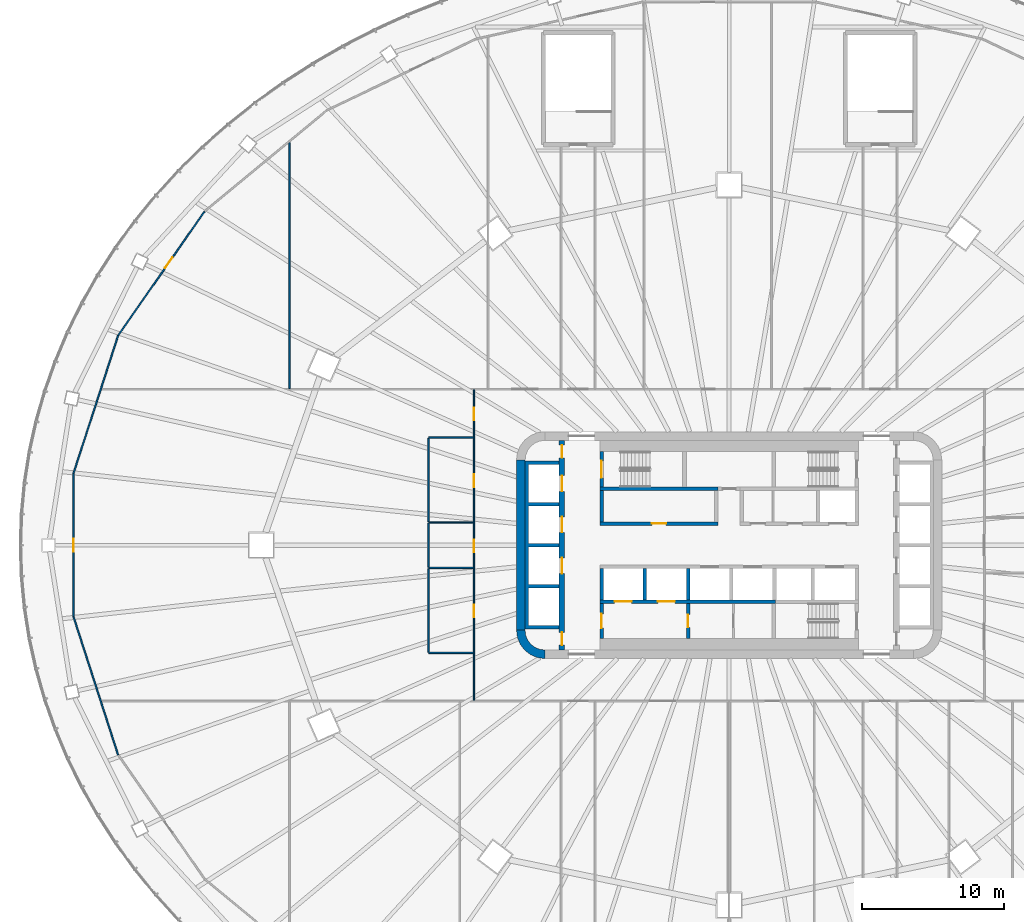
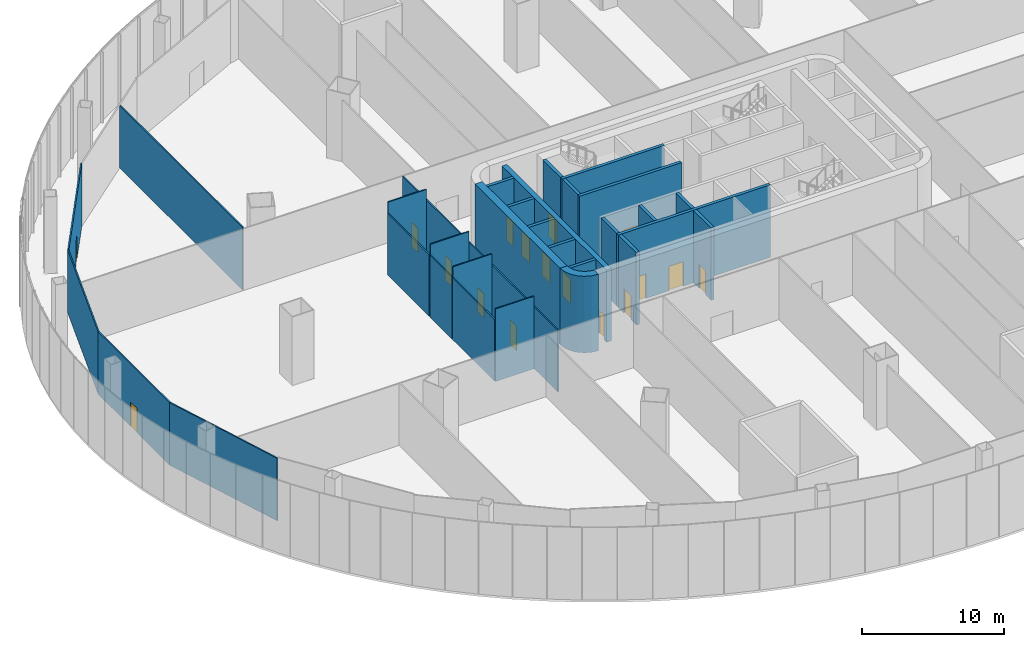
# One storey, part 21 of 33: 27 walls, 17 doors, 17 openings.
"""IFC4 building model written with IfcOpenShell, lengths in metres."""

from ifc_helpers import new_model, si_unit, direction, frame, frame_2d, origin, place, context, subcontext, project, spatial, polyline, rectangle, outline, extrude, material, layer, layer_set, type_object, element, fill, save


model = new_model("IFC4")

# Units and contexts
model_context = context("Model", 3, precision=1e-05, world=origin(), true_north=direction((0.0, 1.0)))
body_context = subcontext(model_context, "Body", "Model", "MODEL_VIEW")
ifc_project = project(units=[si_unit("LENGTHUNIT", "METRE"), si_unit("AREAUNIT", "SQUARE_METRE"), si_unit("VOLUMEUNIT", "CUBIC_METRE"), si_unit("PLANEANGLEUNIT", "RADIAN"), si_unit("MASSUNIT", "GRAM", prefix="KILO")], contexts=[model_context])

# Site, building, storey
site_placement = place(None, origin())
site = spatial("IfcSite", under=ifc_project, at=site_placement, CompositionType="ELEMENT")
building_placement = place(site_placement, origin())
building = spatial("IfcBuilding", under=site, at=building_placement, Name="Sahrelin Media Tower", CompositionType="ELEMENT")
storey_placement = place(building_placement, frame((0.0, 0.0, 37.39990234375)))
storey = spatial("IfcBuildingStorey", under=building, at=storey_placement, Name="L05", CompositionType="ELEMENT", Elevation=37.39990234375)

# Walls
ifc_material_1 = material(Name="Concrete C60/75", Category="concrete")
ifc_layer_1 = layer(ifc_material_1, 0.60009765625)
ifc_layer_set_1 = layer_set([ifc_layer_1], Name="Core wall 600")
wall_type_1 = type_object("IfcWallType", Name="Core wall 600", PredefinedType="SHEAR", material=ifc_layer_set_1)
wall_1_placement = place(storey_placement, frame((-14.699951171875, -6.0, 0.0), z_axis=(0.0, 0.0, 1.0), x_axis=(0.0, 1.0, 0.0)))
element("IfcWall", 1, at=wall_1_placement, inside=storey, type_object=wall_type_1, Name="Core wall W L05", PredefinedType="SHEAR", context=body_context, shape_type="SweptSolid", body=[
    extrude(rectangle(XDim=12.0, YDim=0.60009765625, at=frame_2d((6.0, 0.0))), origin(), (0.0, 0.0, 1.0), 6.60009765625),
])
placement = place(storey_placement, origin())
element("IfcWall", 2, at=placement, inside=storey, type_object=wall_type_1, Name="Core wall corner SW L05", PredefinedType="SHEAR", context=body_context, shape_type="SweptSolid", body=[
    extrude(outline(polyline([(-13.0, -8.0), (-13.0, -7.394775390625), (-13.361083984375, -7.347412109375), (-13.697509765625, -7.2080078125), (-13.986328125, -6.986328125), (-14.2080078125, -6.697509765625), (-14.347412109375, -6.361083984375), (-14.394775390625, -6.0), (-15.0, -6.0), (-14.931884765625, -6.517578125), (-14.732177734375, -7.0), (-14.414306640625, -7.414306640625), (-14.0, -7.732177734375), (-13.517578125, -7.931884765625), (-13.0, -8.0)])), origin(), (0.0, 0.0, 1.0), 6.60009765625),
])

# Wall, opening, door
ifc_material_2 = material(Name="Fire-rated gypsum board partition")
ifc_layer_2 = layer(ifc_material_2, 0.25)
ifc_layer_set_2 = layer_set([ifc_layer_2], Name="Fire-rated lobby wall 250")
wall_type_2 = type_object("IfcWallType", Name="Fire-rated lobby wall 250", PredefinedType="PARTITIONING", material=ifc_layer_set_2)
wall_3_placement = place(storey_placement, frame((-9.125, 1.52490234375, 0.0), z_axis=(0.0, 0.0, 1.0), x_axis=(1.0, 0.0, 0.0)))
wall_3 = element("IfcWall", 3, at=wall_3_placement, inside=storey, type_object=wall_type_2, Name="Core lobby wall", PredefinedType="PARTITIONING", context=body_context, shape_type="SweptSolid", body=[
    extrude(rectangle(XDim=8.35009765625, YDim=0.25, at=frame_2d((4.175048828125, 0.0))), origin(), (0.0, 0.0, 1.0), 6.25),
])
opening_1_placement = place(wall_3_placement, frame((3.675048828125, 0.0, 0.0)))
opening_1 = element("IfcOpeningElement", 4, at=opening_1_placement, cuts=wall_3, Name="Opening L05-D08", PredefinedType="OPENING", context=body_context, shape_type="SweptSolid", body=[
    extrude(rectangle(XDim=1.0, YDim=2.10009765625, at=frame_2d((0.5, 1.050048828125))), frame((0.0, 0.125, 0.0), z_axis=(0.0, -1.0, 0.0), x_axis=(1.0, 0.0, 0.0)), (0.0, 0.0, 1.0), 0.25),
])
ifc_material_3 = material(Name="Steel fire door leaf", Category="steel")
door_type_1 = type_object("IfcDoorType", Name="Fire door 1000 x 2100 EI 60", OperationType="NOTDEFINED", PredefinedType="DOOR", material=ifc_material_3)
door_1_placement = place(opening_1_placement, origin())
door_1 = element("IfcDoor", 5, at=door_1_placement, inside=storey, type_object=door_type_1, Name="Core room door", OperationType="SINGLE_SWING_LEFT", OverallHeight=2.10009765625, OverallWidth=1.0, PredefinedType="DOOR", context=body_context, shape_type="SweptSolid", body=[
    extrude(rectangle(XDim=1.0, YDim=2.10009765625, at=frame_2d((0.5, 1.050048828125))), frame((0.0, 0.02490234375, 0.0), z_axis=(0.0, -1.0, 0.0), x_axis=(1.0, 0.0, 0.0)), (0.0, 0.0, 1.0), 0.050048828125),
])
fill(opening_1, door_1)

# Wall
wall_4_placement = place(storey_placement, frame((-9.0, 1.64990234375, 0.0), z_axis=(0.0, 0.0, 1.0), x_axis=(0.0, 1.0, 0.0)))
element("IfcWall", 6, at=wall_4_placement, inside=storey, type_object=wall_type_2, Name="Core lobby wall", PredefinedType="PARTITIONING", context=body_context, shape_type="SweptSolid", body=[
    extrude(rectangle(XDim=2.2001953125, YDim=0.25, at=frame_2d((1.10009765625, 0.0))), origin(), (0.0, 0.0, 1.0), 6.25),
])

# Wall, opening, door
ifc_layer_3 = layer(ifc_material_2, 0.25)
ifc_layer_set_3 = layer_set([ifc_layer_3], Name="Firefighting lobby wall 250")
wall_type_3 = type_object("IfcWallType", Name="Firefighting lobby wall 250", PredefinedType="PARTITIONING", material=ifc_layer_set_3)
wall_5_placement = place(storey_placement, frame((-9.0, -6.60009765625, 0.0), z_axis=(0.0, 0.0, 1.0), x_axis=(0.0, 1.0, 0.0)))
wall_5 = element("IfcWall", 7, at=wall_5_placement, inside=storey, type_object=wall_type_3, Name="Core wall", PredefinedType="PARTITIONING", context=body_context, shape_type="SweptSolid", body=[
    extrude(rectangle(XDim=2.5, YDim=0.25, at=frame_2d((1.25, 0.0))), origin(), (0.0, 0.0, 1.0), 6.25),
])
opening_2_placement = place(wall_5_placement, frame((0.75, 0.0, 0.0)))
opening_2 = element("IfcOpeningElement", 8, at=opening_2_placement, cuts=wall_5, Name="Opening L05-D04", PredefinedType="OPENING", context=body_context, shape_type="SweptSolid", body=[
    extrude(rectangle(XDim=1.0, YDim=2.10009765625, at=frame_2d((0.5, 1.050048828125))), frame((0.0, 0.125, 0.0), z_axis=(0.0, -1.0, 0.0), x_axis=(1.0, 0.0, 0.0)), (0.0, 0.0, 1.0), 0.25),
])
door_type_2 = type_object("IfcDoorType", Name="Firefighting lobby door 1000 x 2100 EI 120", OperationType="NOTDEFINED", PredefinedType="DOOR", material=ifc_material_3)
door_2_placement = place(opening_2_placement, origin())
door_2 = element("IfcDoor", 9, at=door_2_placement, inside=storey, type_object=door_type_2, Name="Firefighting lobby door", OperationType="SINGLE_SWING_LEFT", OverallHeight=2.10009765625, OverallWidth=1.0, PredefinedType="DOOR", context=body_context, shape_type="SweptSolid", body=[
    extrude(rectangle(XDim=1.0, YDim=2.10009765625, at=frame_2d((0.5, 1.050048828125))), frame((0.0, 0.02490234375, 0.0), z_axis=(0.0, -1.0, 0.0), x_axis=(1.0, 0.0, 0.0)), (0.0, 0.0, 1.0), 0.050048828125),
])
fill(opening_2, door_2)

wall_6_placement = place(storey_placement, frame((-2.89990234375, -6.60009765625, 0.0), z_axis=(0.0, 0.0, 1.0), x_axis=(0.0, 1.0, 0.0)))
wall_6 = element("IfcWall", 10, at=wall_6_placement, inside=storey, type_object=wall_type_3, Name="Core wall", PredefinedType="PARTITIONING", context=body_context, shape_type="SweptSolid", body=[
    extrude(rectangle(XDim=2.5, YDim=0.25, at=frame_2d((1.25, 0.0))), origin(), (0.0, 0.0, 1.0), 6.25),
])
opening_3_placement = place(wall_6_placement, frame((0.800048828125, 0.0, 0.0)))
opening_3 = element("IfcOpeningElement", 11, at=opening_3_placement, cuts=wall_6, Name="Opening L05-D05", PredefinedType="OPENING", context=body_context, shape_type="SweptSolid", body=[
    extrude(rectangle(XDim=0.89990234375, YDim=2.10009765625, at=frame_2d((0.449951171875, 1.050048828125))), frame((0.0, 0.125, 0.0), z_axis=(0.0, -1.0, 0.0), x_axis=(1.0, 0.0, 0.0)), (0.0, 0.0, 1.0), 0.25),
])
door_type_3 = type_object("IfcDoorType", Name="Firefighting lobby door 900 x 2100 EI 120", OperationType="NOTDEFINED", PredefinedType="DOOR", material=ifc_material_3)
door_3_placement = place(opening_3_placement, origin())
door_3 = element("IfcDoor", 12, at=door_3_placement, inside=storey, type_object=door_type_3, Name="Riser door", OperationType="SINGLE_SWING_RIGHT", OverallHeight=2.10009765625, OverallWidth=0.89990234375, PredefinedType="DOOR", context=body_context, shape_type="SweptSolid", body=[
    extrude(rectangle(XDim=0.89990234375, YDim=2.10009765625, at=frame_2d((0.449951171875, 1.050048828125))), frame((0.0, 0.02490234375, 0.0), z_axis=(0.0, -1.0, 0.0), x_axis=(1.0, 0.0, 0.0)), (0.0, 0.0, 1.0), 0.050048828125),
])
fill(opening_3, door_3)

# Wall, openings, doors
ifc_layer_4 = layer(ifc_material_1, 0.25)
ifc_layer_set_4 = layer_set([ifc_layer_4], Name="Lift shaft wall 250")
wall_type_4 = type_object("IfcWallType", Name="Lift shaft wall 250", PredefinedType="SOLIDWALL", material=ifc_layer_set_4)
wall_7_placement = place(storey_placement, frame((-9.125, -3.97509765625, 0.0), z_axis=(0.0, 0.0, 1.0), x_axis=(1.0, 0.0, 0.0)))
wall_7 = element("IfcWall", 13, at=wall_7_placement, inside=storey, type_object=wall_type_4, Name="Lift shaft wall", PredefinedType="SOLIDWALL", context=body_context, shape_type="SweptSolid", body=[
    extrude(rectangle(XDim=12.39990234375, YDim=0.25, at=frame_2d((6.199951171875, 0.0))), origin(), (0.0, 0.0, 1.0), 6.25),
])
opening_4_placement = place(wall_7_placement, frame((1.050048828125, 0.0, 0.0)))
opening_4 = element("IfcOpeningElement", 14, at=opening_4_placement, cuts=wall_7, Name="Opening L05-LD-FF1", PredefinedType="OPENING", context=body_context, shape_type="SweptSolid", body=[
    extrude(rectangle(XDim=1.199951171875, YDim=2.10009765625, at=frame_2d((0.60009765625, 1.050048828125))), frame((0.0, 0.125, 0.0), z_axis=(0.0, -1.0, 0.0), x_axis=(1.0, 0.0, 0.0)), (0.0, 0.0, 1.0), 0.25),
])
opening_5_placement = place(wall_7_placement, frame((4.10009765625, 0.0, 0.0)))
opening_5 = element("IfcOpeningElement", 15, at=opening_5_placement, cuts=wall_7, Name="Opening L05-LD-FF2", PredefinedType="OPENING", context=body_context, shape_type="SweptSolid", body=[
    extrude(rectangle(XDim=1.199951171875, YDim=2.10009765625, at=frame_2d((0.60009765625, 1.050048828125))), frame((0.0, 0.125, 0.0), z_axis=(0.0, -1.0, 0.0), x_axis=(1.0, 0.0, 0.0)), (0.0, 0.0, 1.0), 0.25),
])
ifc_material_4 = material(Name="Stainless steel", Category="steel")
door_type_4 = type_object("IfcDoorType", Name="Lift landing door 1200 x 2100 EI 120", OperationType="DOUBLE_DOOR_SLIDING", PredefinedType="DOOR", material=ifc_material_4)
door_4_placement = place(opening_4_placement, origin())
door_4 = element("IfcDoor", 16, at=door_4_placement, inside=storey, type_object=door_type_4, Name="Lift landing door FF1", OperationType="DOUBLE_DOOR_SLIDING", OverallHeight=2.10009765625, OverallWidth=1.199951171875, PredefinedType="DOOR", context=body_context, shape_type="SweptSolid", body=[
    extrude(rectangle(XDim=1.199951171875, YDim=2.10009765625, at=frame_2d((0.60009765625, 1.050048828125))), frame((0.0, 0.02490234375, 0.0), z_axis=(0.0, -1.0, 0.0), x_axis=(1.0, 0.0, 0.0)), (0.0, 0.0, 1.0), 0.050048828125),
])
fill(opening_4, door_4)
door_5_placement = place(opening_5_placement, origin())
door_5 = element("IfcDoor", 17, at=door_5_placement, inside=storey, type_object=door_type_4, Name="Lift landing door FF2", OperationType="DOUBLE_DOOR_SLIDING", OverallHeight=2.10009765625, OverallWidth=1.199951171875, PredefinedType="DOOR", context=body_context, shape_type="SweptSolid", body=[
    extrude(rectangle(XDim=1.199951171875, YDim=2.10009765625, at=frame_2d((0.60009765625, 1.050048828125))), frame((0.0, 0.02490234375, 0.0), z_axis=(0.0, -1.0, 0.0), x_axis=(1.0, 0.0, 0.0)), (0.0, 0.0, 1.0), 0.050048828125),
])
fill(opening_5, door_5)

# Walls
for number, where, z_axis, x_axis, name in (
    (18, (-9.0, -3.85009765625, 0.0), (0.0, 0.0, 1.0), (0.0, 1.0, 0.0), "Lift shaft wall"),
    (19, (-5.949951171875, -3.85009765625, 0.0), (0.0, 0.0, 1.0), (0.0, 1.0, 0.0), "Lift shaft wall"),
    (20, (-2.89990234375, -3.85009765625, 0.0), (0.0, 0.0, 1.0), (0.0, 1.0, 0.0), "Lift shaft wall"),
):
    element("IfcWall", number, at=place(storey_placement, frame(where, z_axis=z_axis, x_axis=x_axis)), inside=storey, type_object=wall_type_4, Name=name, PredefinedType="SOLIDWALL", context=body_context, shape_type="SweptSolid", body=[
        extrude(rectangle(XDim=2.2001953125, YDim=0.25, at=frame_2d((1.10009765625, 0.0))), origin(), (0.0, 0.0, 1.0), 6.25),
    ])
element("IfcWall", 21, at=placement, inside=storey, type_object=wall_type_4, Name="Lift shaft wall", PredefinedType="SOLIDWALL", context=body_context, shape_type="SweptSolid", body=[
    extrude(outline(polyline([(-12.0, -5.925048828125), (-12.0, -5.675048828125), (-14.14990234375, -5.675048828125), (-14.14990234375, -3.02490234375), (-12.0, -3.02490234375), (-12.0, -2.77490234375), (-14.14990234375, -2.77490234375), (-14.14990234375, -0.125), (-12.0, -0.125), (-12.0, 0.125), (-14.14990234375, 0.125), (-14.14990234375, 2.77490234375), (-12.0, 2.77490234375), (-12.0, 3.02490234375), (-14.14990234375, 3.02490234375), (-14.14990234375, 5.675048828125), (-12.0, 5.675048828125), (-12.0, 5.925048828125), (-14.14990234375, 5.925048828125), (-14.39990234375, 5.925048828125), (-14.39990234375, 5.675048828125), (-14.39990234375, 3.02490234375), (-14.39990234375, 2.77490234375), (-14.39990234375, 0.125), (-14.39990234375, -0.125), (-14.39990234375, -2.77490234375), (-14.39990234375, -3.02490234375), (-14.39990234375, -5.675048828125), (-14.39990234375, -5.925048828125), (-14.14990234375, -5.925048828125), (-12.0, -5.925048828125)])), origin(), (0.0, 0.0, 1.0), 6.25),
])

# Wall, openings, doors
ifc_layer_5 = layer(ifc_material_1, 0.39990234375)
ifc_layer_set_5 = layer_set([ifc_layer_5], Name="Lift shaft wall 400")
wall_type_5 = type_object("IfcWallType", Name="Lift shaft wall 400", PredefinedType="SOLIDWALL", material=ifc_layer_set_5)
wall_9_placement = place(storey_placement, frame((-11.800048828125, -7.39990234375, 0.0), z_axis=(0.0, 0.0, 1.0), x_axis=(0.0, 1.0, 0.0)))
wall_9 = element("IfcWall", 22, at=wall_9_placement, inside=storey, type_object=wall_type_5, Name="Lift shaft wall", PredefinedType="SOLIDWALL", context=body_context, shape_type="SweptSolid", body=[
    extrude(rectangle(XDim=14.7998046875, YDim=0.39990234375, at=frame_2d((7.39990234375, 0.0))), origin(), (0.0, 0.0, 1.0), 6.25),
])
opening_6_placement = place(wall_9_placement, frame((11.199951171875, 0.0, 0.0)))
opening_6 = element("IfcOpeningElement", 23, at=opening_6_placement, cuts=wall_9, Name="Opening L05-LD-LR1", PredefinedType="OPENING", context=body_context, shape_type="SweptSolid", body=[
    extrude(rectangle(XDim=1.10009765625, YDim=2.10009765625, at=frame_2d((0.550048828125, 1.050048828125))), frame((0.0, 0.199951171875, 0.0), z_axis=(0.0, -1.0, 0.0), x_axis=(1.0, 0.0, 0.0)), (0.0, 0.0, 1.0), 0.39990234375),
])
opening_7_placement = place(wall_9_placement, frame((8.300048828125, 0.0, 0.0)))
opening_7 = element("IfcOpeningElement", 24, at=opening_7_placement, cuts=wall_9, Name="Opening L05-LD-LR2", PredefinedType="OPENING", context=body_context, shape_type="SweptSolid", body=[
    extrude(rectangle(XDim=1.10009765625, YDim=2.10009765625, at=frame_2d((0.550048828125, 1.050048828125))), frame((0.0, 0.199951171875, 0.0), z_axis=(0.0, -1.0, 0.0), x_axis=(1.0, 0.0, 0.0)), (0.0, 0.0, 1.0), 0.39990234375),
])
opening_8_placement = place(wall_9_placement, frame((5.39990234375, 0.0, 0.0)))
opening_8 = element("IfcOpeningElement", 25, at=opening_8_placement, cuts=wall_9, Name="Opening L05-LD-LR3", PredefinedType="OPENING", context=body_context, shape_type="SweptSolid", body=[
    extrude(rectangle(XDim=1.10009765625, YDim=2.10009765625, at=frame_2d((0.550048828125, 1.050048828125))), frame((0.0, 0.199951171875, 0.0), z_axis=(0.0, -1.0, 0.0), x_axis=(1.0, 0.0, 0.0)), (0.0, 0.0, 1.0), 0.39990234375),
])
opening_9_placement = place(wall_9_placement, frame((13.552490234375, 0.0, 0.0)))
opening_9 = element("IfcOpeningElement", 26, at=opening_9_placement, cuts=wall_9, Name="Opening L05-D11", PredefinedType="OPENING", context=body_context, shape_type="SweptSolid", body=[
    extrude(rectangle(XDim=0.89990234375, YDim=2.10009765625, at=frame_2d((0.449951171875, 1.050048828125))), frame((0.0, 0.199951171875, 0.0), z_axis=(0.0, -1.0, 0.0), x_axis=(1.0, 0.0, 0.0)), (0.0, 0.0, 1.0), 0.39990234375),
])
opening_10_placement = place(wall_9_placement, frame((0.347412109375, 0.0, 0.0)))
opening_10 = element("IfcOpeningElement", 27, at=opening_10_placement, cuts=wall_9, Name="Opening L05-D12", PredefinedType="OPENING", context=body_context, shape_type="SweptSolid", body=[
    extrude(rectangle(XDim=0.89990234375, YDim=2.10009765625, at=frame_2d((0.449951171875, 1.050048828125))), frame((0.0, 0.199951171875, 0.0), z_axis=(0.0, -1.0, 0.0), x_axis=(1.0, 0.0, 0.0)), (0.0, 0.0, 1.0), 0.39990234375),
])
door_type_5 = type_object("IfcDoorType", Name="Lift landing door 1100 x 2100 EI 120", OperationType="DOUBLE_DOOR_SLIDING", PredefinedType="DOOR", material=ifc_material_4)
door_6_placement = place(opening_6_placement, origin())
door_6 = element("IfcDoor", 28, at=door_6_placement, inside=storey, type_object=door_type_5, Name="Lift landing door LR1", OperationType="DOUBLE_DOOR_SLIDING", OverallHeight=2.10009765625, OverallWidth=1.10009765625, PredefinedType="DOOR", context=body_context, shape_type="SweptSolid", body=[
    extrude(rectangle(XDim=1.10009765625, YDim=2.10009765625, at=frame_2d((0.550048828125, 1.050048828125))), frame((0.0, 0.02490234375, 0.0), z_axis=(0.0, -1.0, 0.0), x_axis=(1.0, 0.0, 0.0)), (0.0, 0.0, 1.0), 0.050048828125),
])
fill(opening_6, door_6)
door_7_placement = place(opening_7_placement, origin())
door_7 = element("IfcDoor", 29, at=door_7_placement, inside=storey, type_object=door_type_5, Name="Lift landing door LR2", OperationType="DOUBLE_DOOR_SLIDING", OverallHeight=2.10009765625, OverallWidth=1.10009765625, PredefinedType="DOOR", context=body_context, shape_type="SweptSolid", body=[
    extrude(rectangle(XDim=1.10009765625, YDim=2.10009765625, at=frame_2d((0.550048828125, 1.050048828125))), frame((0.0, 0.02490234375, 0.0), z_axis=(0.0, -1.0, 0.0), x_axis=(1.0, 0.0, 0.0)), (0.0, 0.0, 1.0), 0.050048828125),
])
fill(opening_7, door_7)
door_8_placement = place(opening_8_placement, origin())
door_8 = element("IfcDoor", 30, at=door_8_placement, inside=storey, type_object=door_type_5, Name="Lift landing door LR3", OperationType="DOUBLE_DOOR_SLIDING", OverallHeight=2.10009765625, OverallWidth=1.10009765625, PredefinedType="DOOR", context=body_context, shape_type="SweptSolid", body=[
    extrude(rectangle(XDim=1.10009765625, YDim=2.10009765625, at=frame_2d((0.550048828125, 1.050048828125))), frame((0.0, 0.02490234375, 0.0), z_axis=(0.0, -1.0, 0.0), x_axis=(1.0, 0.0, 0.0)), (0.0, 0.0, 1.0), 0.050048828125),
])
fill(opening_8, door_8)
door_type_6 = type_object("IfcDoorType", Name="Riser door 900 x 2100 EI 120", OperationType="NOTDEFINED", PredefinedType="DOOR", material=ifc_material_3)
door_9_placement = place(opening_9_placement, origin())
door_9 = element("IfcDoor", 31, at=door_9_placement, inside=storey, type_object=door_type_6, Name="Riser door", OperationType="SINGLE_SWING_LEFT", OverallHeight=2.10009765625, OverallWidth=0.89990234375, PredefinedType="DOOR", context=body_context, shape_type="SweptSolid", body=[
    extrude(rectangle(XDim=0.89990234375, YDim=2.10009765625, at=frame_2d((0.449951171875, 1.050048828125))), frame((0.0, 0.02490234375, 0.0), z_axis=(0.0, -1.0, 0.0), x_axis=(1.0, 0.0, 0.0)), (0.0, 0.0, 1.0), 0.050048828125),
])
fill(opening_9, door_9)
door_10_placement = place(opening_10_placement, origin())
door_10 = element("IfcDoor", 32, at=door_10_placement, inside=storey, type_object=door_type_6, Name="Riser door", OperationType="SINGLE_SWING_LEFT", OverallHeight=2.10009765625, OverallWidth=0.89990234375, PredefinedType="DOOR", context=body_context, shape_type="SweptSolid", body=[
    extrude(rectangle(XDim=0.89990234375, YDim=2.10009765625, at=frame_2d((0.449951171875, 1.050048828125))), frame((0.0, 0.02490234375, 0.0), z_axis=(0.0, -1.0, 0.0), x_axis=(1.0, 0.0, 0.0)), (0.0, 0.0, 1.0), 0.050048828125),
])
fill(opening_10, door_10)

# Wall, opening, door
ifc_material_5 = material(Name="Gypsum board partition")
ifc_layer_6 = layer(ifc_material_5, 0.10009765625)
ifc_layer_set_6 = layer_set([ifc_layer_6], Name="Partition 100")
wall_type_6 = type_object("IfcWallType", Name="Partition 100", PredefinedType="PARTITIONING", material=ifc_layer_set_6)
wall_10_placement = place(storey_placement, frame((-37.010009765625, 23.528564453125, 0.0), z_axis=(0.0, 0.0, 1.0), x_axis=(-0.571737958261, -0.820436290692, 0.0)))
wall_10 = element("IfcWall", 33, at=wall_10_placement, inside=storey, type_object=wall_type_6, Name="Wall", PredefinedType="PARTITIONING", context=body_context, shape_type="SweptSolid", body=[
    extrude(rectangle(XDim=10.650146484375, YDim=0.10009765625, at=frame_2d((5.3251953125, 0.0))), origin(), (0.0, 0.0, 1.0), 5.47607421875),
])
opening_11_placement = place(wall_10_placement, frame((3.9599609375, 0.0, 0.0)))
opening_11 = element("IfcOpeningElement", 34, at=opening_11_placement, cuts=wall_10, Name="Opening L05-D25", PredefinedType="OPENING", context=body_context, shape_type="SweptSolid", body=[
    extrude(rectangle(XDim=0.89990234375, YDim=2.10009765625, at=frame_2d((0.449951171875, 1.050048828125))), frame((0.0, 0.050048828125, 0.0), z_axis=(0.0, -1.0, 0.0), x_axis=(1.0, 0.0, 0.0)), (0.0, 0.0, 1.0), 0.10009765625),
])
ifc_material_6 = material(Name="Timber door leaf", Category="wood")
door_type_7 = type_object("IfcDoorType", Name="Single door 900 x 2100", OperationType="NOTDEFINED", PredefinedType="DOOR", material=ifc_material_6)
door_11_placement = place(opening_11_placement, origin())
door_11 = element("IfcDoor", 35, at=door_11_placement, inside=storey, type_object=door_type_7, Name="Single door", OperationType="SINGLE_SWING_LEFT", OverallHeight=2.10009765625, OverallWidth=0.89990234375, PredefinedType="DOOR", context=body_context, shape_type="SweptSolid", body=[
    extrude(rectangle(XDim=0.89990234375, YDim=2.10009765625, at=frame_2d((0.449951171875, 1.050048828125))), frame((0.0, 0.02490234375, 0.0), z_axis=(0.0, -1.0, 0.0), x_axis=(1.0, 0.0, 0.0)), (0.0, 0.0, 1.0), 0.050048828125),
])
fill(opening_11, door_11)

# Wall
wall_11_placement = place(storey_placement, frame((-43.09912109375, 14.790771484375, 0.0), z_axis=(0.0, 0.0, 1.0), x_axis=(-0.307713034182, -0.951479210805, 0.0)))
element("IfcWall", 36, at=wall_11_placement, inside=storey, type_object=wall_type_6, Name="Wall", PredefinedType="PARTITIONING", context=body_context, shape_type="SweptSolid", body=[
    extrude(rectangle(XDim=10.242919921875, YDim=0.10009765625, at=frame_2d((5.12158203125, 0.0))), origin(), (0.0, 0.0, 1.0), 5.39501953125),
])

# Wall, opening, door
wall_12_placement = place(storey_placement, frame((-46.2509765625, 5.044921875, 0.0), z_axis=(0.0, 0.0, 1.0), x_axis=(0.0, -1.0, 0.0)))
wall_12 = element("IfcWall", 37, at=wall_12_placement, inside=storey, type_object=wall_type_6, Name="Wall", PredefinedType="PARTITIONING", context=body_context, shape_type="SweptSolid", body=[
    extrude(rectangle(XDim=10.08984375, YDim=0.10009765625, at=frame_2d((5.044921875, 0.0))), origin(), (0.0, 0.0, 1.0), 5.39501953125),
])
opening_12_placement = place(wall_12_placement, frame((4.594970703125, 0.0, 0.0)))
opening_12 = element("IfcOpeningElement", 38, at=opening_12_placement, cuts=wall_12, Name="Opening L05-D52", PredefinedType="OPENING", context=body_context, shape_type="SweptSolid", body=[
    extrude(rectangle(XDim=0.89990234375, YDim=2.10009765625, at=frame_2d((0.449951171875, 1.050048828125))), frame((0.0, 0.050048828125, 0.0), z_axis=(0.0, -1.0, 0.0), x_axis=(1.0, 0.0, 0.0)), (0.0, 0.0, 1.0), 0.10009765625),
])
door_12_placement = place(opening_12_placement, origin())
door_12 = element("IfcDoor", 39, at=door_12_placement, inside=storey, type_object=door_type_7, Name="Single door", OperationType="SINGLE_SWING_RIGHT", OverallHeight=2.10009765625, OverallWidth=0.89990234375, PredefinedType="DOOR", context=body_context, shape_type="SweptSolid", body=[
    extrude(rectangle(XDim=0.89990234375, YDim=2.10009765625, at=frame_2d((0.449951171875, 1.050048828125))), frame((0.0, 0.02490234375, 0.0), z_axis=(0.0, -1.0, 0.0), x_axis=(1.0, 0.0, 0.0)), (0.0, 0.0, 1.0), 0.050048828125),
])
fill(opening_12, door_12)

# Wall
wall_13_placement = place(storey_placement, frame((-46.2509765625, -5.044921875, 0.0), z_axis=(0.0, 0.0, 1.0), x_axis=(0.307713034182, -0.951479210805, 0.0)))
element("IfcWall", 40, at=wall_13_placement, inside=storey, type_object=wall_type_6, Name="Wall", PredefinedType="PARTITIONING", context=body_context, shape_type="SweptSolid", body=[
    extrude(rectangle(XDim=10.242919921875, YDim=0.10009765625, at=frame_2d((5.12158203125, 0.0))), origin(), (0.0, 0.0, 1.0), 5.39501953125),
])

# Wall, openings, doors
wall_14_placement = place(storey_placement, frame((-18.0, -10.949951171875, 0.0), z_axis=(0.0, 0.0, 1.0), x_axis=(0.0, 1.0, 0.0)))
wall_14 = element("IfcWall", 41, at=wall_14_placement, inside=storey, type_object=wall_type_6, Name="Wall", PredefinedType="PARTITIONING", context=body_context, shape_type="SweptSolid", body=[
    extrude(rectangle(XDim=21.89990234375, YDim=0.10009765625, at=frame_2d((10.949951171875, 0.0))), origin(), (0.0, 0.0, 1.0), 5.318359375),
])
opening_13_placement = place(wall_14_placement, frame((19.75, 0.0, 0.0)))
opening_13 = element("IfcOpeningElement", 42, at=opening_13_placement, cuts=wall_14, Name="Opening L05-D51", PredefinedType="OPENING", context=body_context, shape_type="SweptSolid", body=[
    extrude(rectangle(XDim=0.89990234375, YDim=2.10009765625, at=frame_2d((0.449951171875, 1.050048828125))), frame((0.0, 0.050048828125, 0.0), z_axis=(0.0, -1.0, 0.0), x_axis=(1.0, 0.0, 0.0)), (0.0, 0.0, 1.0), 0.10009765625),
])
opening_14_placement = place(wall_14_placement, frame((5.85009765625, 0.0, 0.0)))
opening_14 = element("IfcOpeningElement", 43, at=opening_14_placement, cuts=wall_14, Name="Opening L05-D53", PredefinedType="OPENING", context=body_context, shape_type="SweptSolid", body=[
    extrude(rectangle(XDim=0.89990234375, YDim=2.10009765625, at=frame_2d((0.449951171875, 1.050048828125))), frame((0.0, 0.050048828125, 0.0), z_axis=(0.0, -1.0, 0.0), x_axis=(1.0, 0.0, 0.0)), (0.0, 0.0, 1.0), 0.10009765625),
])
opening_15_placement = place(wall_14_placement, frame((10.449951171875, 0.0, 0.0)))
opening_15 = element("IfcOpeningElement", 44, at=opening_15_placement, cuts=wall_14, Name="Opening L05-D54", PredefinedType="OPENING", context=body_context, shape_type="SweptSolid", body=[
    extrude(rectangle(XDim=0.89990234375, YDim=2.10009765625, at=frame_2d((0.449951171875, 1.050048828125))), frame((0.0, 0.050048828125, 0.0), z_axis=(0.0, -1.0, 0.0), x_axis=(1.0, 0.0, 0.0)), (0.0, 0.0, 1.0), 0.10009765625),
])
opening_16_placement = place(wall_14_placement, frame((15.050048828125, 0.0, 0.0)))
opening_16 = element("IfcOpeningElement", 45, at=opening_16_placement, cuts=wall_14, Name="Opening L05-D55", PredefinedType="OPENING", context=body_context, shape_type="SweptSolid", body=[
    extrude(rectangle(XDim=0.89990234375, YDim=2.10009765625, at=frame_2d((0.449951171875, 1.050048828125))), frame((0.0, 0.050048828125, 0.0), z_axis=(0.0, -1.0, 0.0), x_axis=(1.0, 0.0, 0.0)), (0.0, 0.0, 1.0), 0.10009765625),
])
door_13_placement = place(opening_13_placement, origin())
door_13 = element("IfcDoor", 46, at=door_13_placement, inside=storey, type_object=door_type_7, Name="Single door", OperationType="SINGLE_SWING_RIGHT", OverallHeight=2.10009765625, OverallWidth=0.89990234375, PredefinedType="DOOR", context=body_context, shape_type="SweptSolid", body=[
    extrude(rectangle(XDim=0.89990234375, YDim=2.10009765625, at=frame_2d((0.449951171875, 1.050048828125))), frame((0.0, 0.02490234375, 0.0), z_axis=(0.0, -1.0, 0.0), x_axis=(1.0, 0.0, 0.0)), (0.0, 0.0, 1.0), 0.050048828125),
])
fill(opening_13, door_13)
door_14_placement = place(opening_14_placement, origin())
door_14 = element("IfcDoor", 47, at=door_14_placement, inside=storey, type_object=door_type_7, Name="Single door", OperationType="SINGLE_SWING_LEFT", OverallHeight=2.10009765625, OverallWidth=0.89990234375, PredefinedType="DOOR", context=body_context, shape_type="SweptSolid", body=[
    extrude(rectangle(XDim=0.89990234375, YDim=2.10009765625, at=frame_2d((0.449951171875, 1.050048828125))), frame((0.0, 0.02490234375, 0.0), z_axis=(0.0, -1.0, 0.0), x_axis=(1.0, 0.0, 0.0)), (0.0, 0.0, 1.0), 0.050048828125),
])
fill(opening_14, door_14)
door_15_placement = place(opening_15_placement, origin())
door_15 = element("IfcDoor", 48, at=door_15_placement, inside=storey, type_object=door_type_7, Name="Single door", OperationType="SINGLE_SWING_LEFT", OverallHeight=2.10009765625, OverallWidth=0.89990234375, PredefinedType="DOOR", context=body_context, shape_type="SweptSolid", body=[
    extrude(rectangle(XDim=0.89990234375, YDim=2.10009765625, at=frame_2d((0.449951171875, 1.050048828125))), frame((0.0, 0.02490234375, 0.0), z_axis=(0.0, -1.0, 0.0), x_axis=(1.0, 0.0, 0.0)), (0.0, 0.0, 1.0), 0.050048828125),
])
fill(opening_15, door_15)
door_16_placement = place(opening_16_placement, origin())
door_16 = element("IfcDoor", 49, at=door_16_placement, inside=storey, type_object=door_type_7, Name="Single door", OperationType="SINGLE_SWING_RIGHT", OverallHeight=2.10009765625, OverallWidth=0.89990234375, PredefinedType="DOOR", context=body_context, shape_type="SweptSolid", body=[
    extrude(rectangle(XDim=0.89990234375, YDim=2.10009765625, at=frame_2d((0.449951171875, 1.050048828125))), frame((0.0, 0.02490234375, 0.0), z_axis=(0.0, -1.0, 0.0), x_axis=(1.0, 0.0, 0.0)), (0.0, 0.0, 1.0), 0.050048828125),
])
fill(opening_16, door_16)

# Walls
wall_15_placement = place(storey_placement, frame((-31.0, 11.050048828125, 0.0), z_axis=(0.0, 0.0, 1.0), x_axis=(0.0, 1.0, 0.0)))
element("IfcWall", 50, at=wall_15_placement, inside=storey, type_object=wall_type_6, Name="Wall", PredefinedType="PARTITIONING", context=body_context, shape_type="SweptSolid", body=[
    extrude(rectangle(XDim=17.3515625, YDim=0.10009765625, at=frame_2d((8.67578125, 0.0))), origin(), (0.0, 0.0, 1.0), 5.39501953125),
])
for number, where, z_axis, x_axis, name in (
    (51, (-21.199951171875, -7.60009765625, 0.0), (0.0, 0.0, 1.0), (1.0, 0.0, 0.0), "Wall"),
    (52, (-18.050048828125, -1.60009765625, 0.0), (0.0, 0.0, 1.0), (-1.0, 0.0, 0.0), "Wall"),
):
    element("IfcWall", number, at=place(storey_placement, frame(where, z_axis=z_axis, x_axis=x_axis)), inside=storey, type_object=wall_type_6, Name=name, PredefinedType="PARTITIONING", context=body_context, shape_type="SweptSolid", body=[
        extrude(rectangle(XDim=3.14990234375, YDim=0.10009765625, at=frame_2d((1.574951171875, 0.0))), origin(), (0.0, 0.0, 1.0), 6.25),
    ])
wall_16_placement = place(storey_placement, frame((-21.199951171875, -1.64990234375, 0.0), z_axis=(0.0, 0.0, 1.0), x_axis=(0.0, -1.0, 0.0)))
element("IfcWall", 53, at=wall_16_placement, inside=storey, type_object=wall_type_6, Name="Wall", PredefinedType="PARTITIONING", context=body_context, shape_type="SweptSolid", body=[
    extrude(rectangle(XDim=5.900146484375, YDim=0.10009765625, at=frame_2d((2.9501953125, 0.0))), origin(), (0.0, 0.0, 1.0), 5.318359375),
])
wall_17_placement = place(storey_placement, frame((-18.050048828125, 1.60009765625, 0.0), z_axis=(0.0, 0.0, 1.0), x_axis=(-1.0, 0.0, 0.0)))
element("IfcWall", 54, at=wall_17_placement, inside=storey, type_object=wall_type_6, Name="Wall", PredefinedType="PARTITIONING", context=body_context, shape_type="SweptSolid", body=[
    extrude(rectangle(XDim=3.14990234375, YDim=0.10009765625, at=frame_2d((1.574951171875, 0.0))), origin(), (0.0, 0.0, 1.0), 6.25),
])
wall_18_placement = place(storey_placement, frame((-21.199951171875, 1.550048828125, 0.0), z_axis=(0.0, 0.0, 1.0), x_axis=(0.0, -1.0, 0.0)))
element("IfcWall", 55, at=wall_18_placement, inside=storey, type_object=wall_type_6, Name="Wall", PredefinedType="PARTITIONING", context=body_context, shape_type="SweptSolid", body=[
    extrude(rectangle(XDim=3.10009765625, YDim=0.10009765625, at=frame_2d((1.550048828125, 0.0))), origin(), (0.0, 0.0, 1.0), 5.318359375),
])
wall_19_placement = place(storey_placement, frame((-18.050048828125, 7.60009765625, 0.0), z_axis=(0.0, 0.0, 1.0), x_axis=(-1.0, 0.0, 0.0)))
element("IfcWall", 56, at=wall_19_placement, inside=storey, type_object=wall_type_6, Name="Wall", PredefinedType="PARTITIONING", context=body_context, shape_type="SweptSolid", body=[
    extrude(rectangle(XDim=3.14990234375, YDim=0.10009765625, at=frame_2d((1.574951171875, 0.0))), origin(), (0.0, 0.0, 1.0), 6.25),
])
wall_20_placement = place(storey_placement, frame((-21.199951171875, 7.550048828125, 0.0), z_axis=(0.0, 0.0, 1.0), x_axis=(0.0, -1.0, 0.0)))
element("IfcWall", 57, at=wall_20_placement, inside=storey, type_object=wall_type_6, Name="Wall", PredefinedType="PARTITIONING", context=body_context, shape_type="SweptSolid", body=[
    extrude(rectangle(XDim=5.900146484375, YDim=0.10009765625, at=frame_2d((2.9501953125, 0.0))), origin(), (0.0, 0.0, 1.0), 5.318359375),
])

# Wall, opening, door
ifc_layer_7 = layer(ifc_material_1, 0.25)
ifc_layer_set_7 = layer_set([ifc_layer_7], Name="Stair enclosure wall 250")
wall_type_7 = type_object("IfcWallType", Name="Stair enclosure wall 250", PredefinedType="SOLIDWALL", material=ifc_layer_set_7)
wall_21_placement = place(storey_placement, frame((-9.0, 4.10009765625, 0.0), z_axis=(0.0, 0.0, 1.0), x_axis=(0.0, 1.0, 0.0)))
wall_21 = element("IfcWall", 58, at=wall_21_placement, inside=storey, type_object=wall_type_7, Name="Stair enclosure wall", PredefinedType="SOLIDWALL", context=body_context, shape_type="SweptSolid", body=[
    extrude(rectangle(XDim=2.5, YDim=0.25, at=frame_2d((1.25, 0.0))), origin(), (0.0, 0.0, 1.0), 6.25),
])
opening_17_placement = place(wall_21_placement, frame((0.64990234375, 0.0, 0.0)))
opening_17 = element("IfcOpeningElement", 59, at=opening_17_placement, cuts=wall_21, Name="Opening L05-D01", PredefinedType="OPENING", context=body_context, shape_type="SweptSolid", body=[
    extrude(rectangle(XDim=1.199951171875, YDim=2.10009765625, at=frame_2d((0.60009765625, 1.050048828125))), frame((0.0, 0.125, 0.0), z_axis=(0.0, -1.0, 0.0), x_axis=(1.0, 0.0, 0.0)), (0.0, 0.0, 1.0), 0.25),
])
door_type_8 = type_object("IfcDoorType", Name="Stair door 1200 x 2100 EI 120", OperationType="NOTDEFINED", PredefinedType="DOOR", material=ifc_material_3)
door_17_placement = place(opening_17_placement, origin())
door_17 = element("IfcDoor", 60, at=door_17_placement, inside=storey, type_object=door_type_8, Name="Stair door ST1", OperationType="SINGLE_SWING_RIGHT", OverallHeight=2.10009765625, OverallWidth=1.199951171875, PredefinedType="DOOR", context=body_context, shape_type="SweptSolid", body=[
    extrude(rectangle(XDim=1.199951171875, YDim=2.10009765625, at=frame_2d((0.60009765625, 1.050048828125))), frame((0.0, 0.02490234375, 0.0), z_axis=(0.0, -1.0, 0.0), x_axis=(1.0, 0.0, 0.0)), (0.0, 0.0, 1.0), 0.050048828125),
])
fill(opening_17, door_17)

# Wall
wall_22_placement = place(storey_placement, frame((-9.125, 3.97509765625, 0.0), z_axis=(0.0, 0.0, 1.0), x_axis=(1.0, 0.0, 0.0)))
element("IfcWall", 61, at=wall_22_placement, inside=storey, type_object=wall_type_7, Name="Stair enclosure wall", PredefinedType="SOLIDWALL", context=body_context, shape_type="SweptSolid", body=[
    extrude(rectangle(XDim=8.35009765625, YDim=0.25, at=frame_2d((4.175048828125, 0.0))), origin(), (0.0, 0.0, 1.0), 6.25),
])

save(model, "model.ifc")
